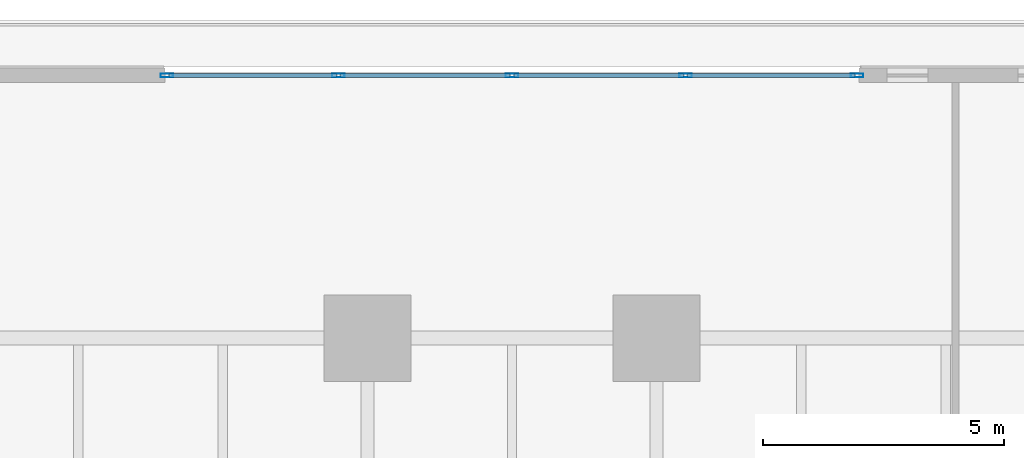
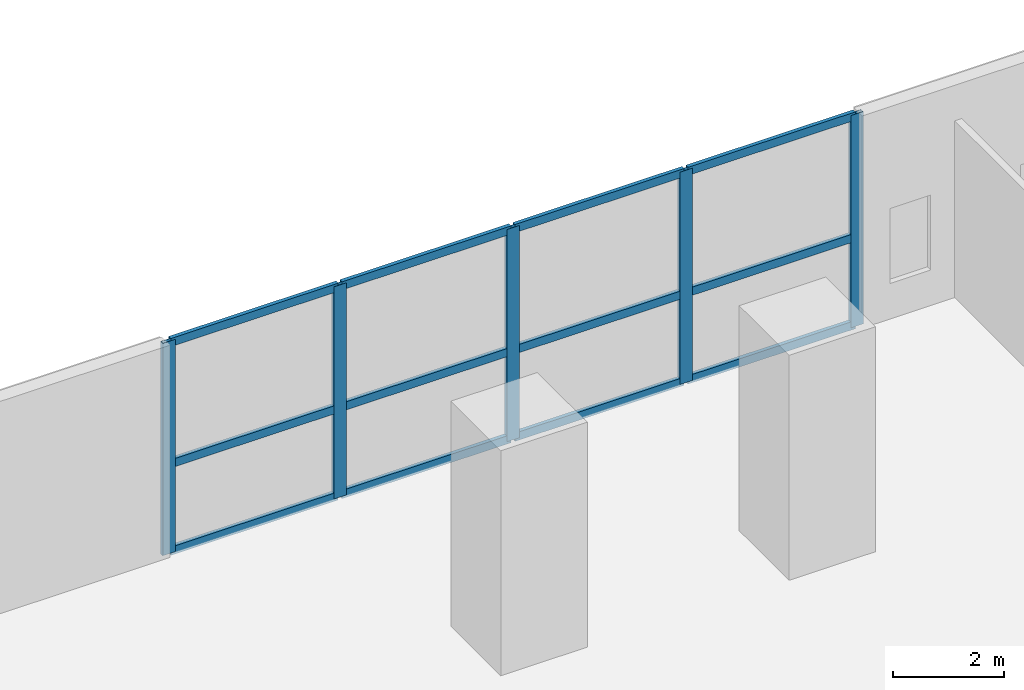
# One storey, part 4 of 24: 17 members, 1 element without a shape of its own.
"""IFC4 building model written with IfcOpenShell, lengths in metres."""

import ifcopenshell
import ifcopenshell.guid

model = None  # the IFC model being written
_history = None  # IfcOwnerHistory: only IFC2X3 demands one
_inside = {}  # id of a spatial element -> (the spatial element, [elements in it])
_under = {}  # id of a project, library or spatial element -> (it, [spatial elements below it])
_declared = {}  # id of a project -> (the project, [libraries it declares])
_typed = {}  # id of a type object -> (the type object, [elements of that type])
_made_of = {}  # id of a material, layer set ... -> (it, [elements and type objects made of it])


def new_model(schema):
    """Start an empty IFC model of exactly this schema.

    Asked for "IFC4X3", IfcOpenShell would pick the latest addendum, in which some entities
    have other attributes; the version numbers below select the first issue.
    IFC2X3 requires an IfcOwnerHistory on every rooted entity: one is made here for all.
    """
    global model, _history
    if schema == "IFC4X3":
        model = ifcopenshell.file(schema_version=(4, 3, 0, 0))
    else:
        model = ifcopenshell.file(schema=schema)
    _inside.clear()
    _under.clear()
    _declared.clear()
    _typed.clear()
    _made_of.clear()
    _history = None
    if model.schema == "IFC2X3":
        org = make("IfcOrganization", Name="unknown")
        user = make(
            "IfcPersonAndOrganization",
            ThePerson=make("IfcPerson", FamilyName="unknown"),
            TheOrganization=org,
        )
        app = make(
            "IfcApplication",
            ApplicationDeveloper=org,
            Version="unknown",
            ApplicationFullName="unknown",
            ApplicationIdentifier="unknown",
        )
        _history = make(
            "IfcOwnerHistory",
            OwningUser=user,
            OwningApplication=app,
            ChangeAction="ADDED",
            CreationDate=0,
        )
    return model


def make(cls, **values):
    """One entity of the class cls with the attributes given. An attribute that is None is left unset."""
    return model.create_entity(
        cls, **{name: value for name, value in values.items() if value is not None}
    )


def rooted(cls, **values):
    """An entity with a GlobalId (a new one), such as an element, a storey or a relation."""
    return make(cls, GlobalId=ifcopenshell.guid.new(), OwnerHistory=_history, **values)


def si_unit(unit_type, name, prefix=None):
    """IfcSIUnit, for example si_unit("LENGTHUNIT", "METRE", prefix="MILLI")."""
    return make("IfcSIUnit", UnitType=unit_type, Prefix=prefix, Name=name)


def assignment(units):
    """IfcUnitAssignment: the units of a project."""
    return None if units is None else make("IfcUnitAssignment", Units=units)


def point(xyz):
    """IfcCartesianPoint."""
    return None if xyz is None else make("IfcCartesianPoint", Coordinates=xyz)


def direction(xyz):
    """IfcDirection."""
    return None if xyz is None else make("IfcDirection", DirectionRatios=xyz)


def frame(location, z_axis=None, x_axis=None):
    """IfcAxis2Placement3D, a coordinate frame: its origin and axes. An axis left out is left unset."""
    return make(
        "IfcAxis2Placement3D",
        Location=point(location),
        Axis=direction(z_axis),
        RefDirection=direction(x_axis),
    )


def frame_2d(location, x_axis=None):
    """IfcAxis2Placement2D, a coordinate frame in the plane: its origin and x axis."""
    return make(
        "IfcAxis2Placement2D", Location=point(location), RefDirection=direction(x_axis)
    )


def origin():
    """The frame at (0, 0, 0) with its axes left unset."""
    return frame((0.0, 0.0, 0.0))


def origin_2d():
    """The frame at (0, 0) in the plane with its x axis left unset."""
    return frame_2d((0.0, 0.0))


def place(relative_to, where):
    """IfcLocalPlacement: puts the frame where relative to a parent placement (None: the world)."""
    return make(
        "IfcLocalPlacement", PlacementRelTo=relative_to, RelativePlacement=where
    )


def context(
    kind, dimensions, precision=None, world=None, true_north=None, identifier=None
):
    """IfcGeometricRepresentationContext, for example the 3D "Model" context."""
    return make(
        "IfcGeometricRepresentationContext",
        ContextIdentifier=identifier,
        ContextType=kind,
        CoordinateSpaceDimension=dimensions,
        Precision=precision,
        WorldCoordinateSystem=world,
        TrueNorth=true_north,
    )


def subcontext(parent, identifier, kind, view, scale=None):
    """IfcGeometricRepresentationSubContext, for example "Body" below "Model"."""
    return make(
        "IfcGeometricRepresentationSubContext",
        ContextIdentifier=identifier,
        ContextType=kind,
        ParentContext=parent,
        TargetScale=scale,
        TargetView=view,
    )


def project(units=None, contexts=None):
    """IfcProject with its units and contexts."""
    return rooted(
        "IfcProject",
        Name="project",
        RepresentationContexts=contexts,
        UnitsInContext=assignment(units),
    )


def spatial(cls, under=None, at=None, **own):
    """A site, building, storey or space (cls), placed at a placement, below another one or the project."""
    s = rooted(cls, ObjectPlacement=at, **own)
    if under is not None:
        _under.setdefault(under.id(), (under, []))[1].append(s)
    return s


def profile(cls, at=None, kind="AREA", **sizes):
    """A parametric profile (cls). Its sizes go by their IFC names, for example OverallWidth=200.0."""
    return make(cls, ProfileType=kind, Position=at, **sizes)


def hollow_rectangle(**sizes):
    """IfcRectangleHollowProfileDef."""
    return profile("IfcRectangleHollowProfileDef", **sizes)


def extrude(swept, where, along, depth):
    """IfcExtrudedAreaSolid: the profile swept, set in the frame where, extruded along a direction by depth."""
    return make(
        "IfcExtrudedAreaSolid",
        SweptArea=swept,
        Position=where,
        ExtrudedDirection=direction(along),
        Depth=depth,
    )


def shape(context_of_items, identifier, shape_type, items):
    """IfcShapeRepresentation: the items that make up one representation, for example the "Body"."""
    return make(
        "IfcShapeRepresentation",
        ContextOfItems=context_of_items,
        RepresentationIdentifier=identifier,
        RepresentationType=shape_type,
        Items=items,
    )


def material(Name=None, Category=None):
    """IfcMaterial."""
    return make("IfcMaterial", Name=Name, Category=Category)


def layer(
    of_material, thickness, ventilated=None, Name=None, Category=None, Priority=None
):
    """IfcMaterialLayer: one layer of a wall or slab, of a material (None: an air gap)."""
    return make(
        "IfcMaterialLayer",
        Material=of_material,
        LayerThickness=thickness,
        IsVentilated=ventilated,
        Name=Name,
        Category=Category,
        Priority=Priority,
    )


def layer_set(layers, Name=None):
    """IfcMaterialLayerSet."""
    return make("IfcMaterialLayerSet", MaterialLayers=layers, LayerSetName=Name)


def material_profile(
    of_material, cross_section, Name=None, Category=None, Priority=None
):
    """IfcMaterialProfile: a cross section and its material."""
    return make(
        "IfcMaterialProfile",
        Name=Name,
        Material=of_material,
        Profile=cross_section,
        Priority=Priority,
        Category=Category,
    )


def profile_set(profiles, Name=None, composite=None):
    """IfcMaterialProfileSet."""
    return make(
        "IfcMaterialProfileSet",
        Name=Name,
        MaterialProfiles=profiles,
        CompositeProfile=composite,
    )


def made_of(thing, what):
    """Note that an element or type object is made of a material, layer set ...; save() writes the relation."""
    if what is not None:
        _made_of.setdefault(what.id(), (what, []))[1].append(thing)
    return thing


def type_object(cls, material=None, **own):
    """A type object (cls), such as IfcWallType, which elements share."""
    return made_of(rooted(cls, **own), material)


def element(
    cls,
    number,
    at=None,
    inside=None,
    cuts=None,
    type_object=None,
    material=None,
    context=None,
    identifier="Body",
    shape_type=None,
    held_by="IfcProductDefinitionShape",
    body=None,
    shapes=None,
    **own,
):
    """One element of the class cls, such as IfcWall. Its Tag is "e" and its number.

    at: its placement. inside: the storey or other place that contains it. cuts: it is an
    opening in that element (IfcRelVoidsElement). A single representation is given by context,
    identifier, shape_type and body (its items); several are given by shapes. held_by: the class
    of the entity that holds the representations. save() writes the other relations.
    """
    e = rooted(cls, Tag="e%d" % number, ObjectPlacement=at, **own)
    if body is not None:
        shapes = [shape(context, identifier, shape_type, body)]
    if shapes is not None:
        e.Representation = make(held_by, Representations=shapes)
    if inside is not None:
        _inside.setdefault(inside.id(), (inside, []))[1].append(e)
    if cuts is not None:
        rooted(
            "IfcRelVoidsElement", RelatingBuildingElement=cuts, RelatedOpeningElement=e
        )
    if type_object is not None:
        _typed.setdefault(type_object.id(), (type_object, []))[1].append(e)
    return made_of(e, material)


def aggregate(whole, parts):
    """IfcRelAggregates: a whole, such as a stair, and the parts it consists of."""
    return rooted("IfcRelAggregates", RelatingObject=whole, RelatedObjects=parts)


def save(model, path):
    """Write the relations noted so far, then the file.

    IfcRelAggregates (storeys below a building ...), IfcRelContainedInSpatialStructure (elements
    in a storey), IfcRelDefinesByType, IfcRelAssociatesMaterial and IfcRelDeclares: one each for
    every whole, place, type object, material and project.
    """
    for whole, parts in _under.values():
        aggregate(whole, parts)
    for where, things in _inside.values():
        rooted(
            "IfcRelContainedInSpatialStructure",
            RelatedElements=things,
            RelatingStructure=where,
        )
    for kind, things in _typed.values():
        rooted("IfcRelDefinesByType", RelatedObjects=things, RelatingType=kind)
    for what, things in _made_of.values():
        rooted("IfcRelAssociatesMaterial", RelatedObjects=things, RelatingMaterial=what)
    for by, libraries in _declared.values():
        rooted("IfcRelDeclares", RelatingContext=by, RelatedDefinitions=libraries)
    model.write(path)


model = new_model("IFC4")

# Units and contexts
model_context = context("Model", 3, precision=1e-05, world=origin(), true_north=direction((0.0, 1.0)))
body_context = subcontext(model_context, "Body", "Model", "MODEL_VIEW")
ifc_project = project(units=[si_unit("LENGTHUNIT", "METRE"), si_unit("AREAUNIT", "SQUARE_METRE"), si_unit("VOLUMEUNIT", "CUBIC_METRE"), si_unit("PLANEANGLEUNIT", "RADIAN"), si_unit("MASSUNIT", "GRAM", prefix="KILO")], contexts=[model_context])

# Site, building, storey
site_placement = place(None, origin())
site = spatial("IfcSite", under=ifc_project, at=site_placement, CompositionType="ELEMENT")
building_placement = place(site_placement, origin())
building = spatial("IfcBuilding", under=site, at=building_placement, Name="Tanjung Sevakor Pilgrim Tower", CompositionType="ELEMENT")
storey_placement = place(building_placement, frame((0.0, 0.0, 4.949951171875)))
storey = spatial("IfcBuildingStorey", under=building, at=storey_placement, Name="L02", CompositionType="ELEMENT", Elevation=4.949951171875)

# Curtain wall, members
ifc_material_1 = material(Name="Aluminium 6063-T6 and Low-E Glass", Category="aluminium")
ifc_layer = layer(ifc_material_1, 0.179931640625)
ifc_layer_set = layer_set([ifc_layer], Name="CW-SYS-POD")
curtain_wall_type = type_object("IfcCurtainWallType", Name="CW-SYS-POD", PredefinedType="NOTDEFINED", material=ifc_layer_set)
curtain_wall_placement = place(storey_placement, origin())
curtain_wall = element("IfcCurtainWall", 1, at=curtain_wall_placement, inside=storey, type_object=curtain_wall_type, Name="L02 Curtain Wall CW-POD-L02-N", PredefinedType="NOTDEFINED")
ifc_material_2 = material(Name="Aluminium 6063-T6", Category="aluminium")
ifc_material_profile_1 = material_profile(ifc_material_2, hollow_rectangle(XDim=0.080078125, YDim=0.260009765625, WallThickness=0.0048828125, at=origin_2d()))
ifc_profile_set_1 = profile_set([ifc_material_profile_1], Name="Aluminium 6063-T6")
member_type_1 = type_object("IfcMemberType", Name="TYPE-CWM-3", PredefinedType="MULLION", material=ifc_profile_set_1)
member_1_placement = place(storey_placement, frame((64.159912109375, 66.050048828125, 0.0), z_axis=(0.0, 0.0, 1.0), x_axis=(0.0, -1.0, 0.0)))
member_1 = element("IfcMember", 2, at=member_1_placement, type_object=member_type_1, Name="CW-POD mullion 1", PredefinedType="MULLION", context=body_context, shape_type="SweptSolid", body=[
    extrude(hollow_rectangle(XDim=0.080078125, YDim=0.260009765625, WallThickness=0.0048828125, at=origin_2d()), origin(), (0.0, 0.0, 1.0), 4.670166015625),
])
member_2_placement = place(storey_placement, frame((60.60009765625, 66.050048828125, 0.0), z_axis=(0.0, 0.0, 1.0), x_axis=(0.0, -1.0, 0.0)))
member_2 = element("IfcMember", 3, at=member_2_placement, type_object=member_type_1, Name="CW-POD mullion 2", PredefinedType="MULLION", context=body_context, shape_type="SweptSolid", body=[
    extrude(hollow_rectangle(XDim=0.080078125, YDim=0.260009765625, WallThickness=0.0048828125, at=origin_2d()), origin(), (0.0, 0.0, 1.0), 4.670166015625),
])
member_3_placement = place(storey_placement, frame((57.0, 66.050048828125, 0.0), z_axis=(0.0, 0.0, 1.0), x_axis=(0.0, -1.0, 0.0)))
member_3 = element("IfcMember", 4, at=member_3_placement, type_object=member_type_1, Name="CW-POD mullion 3", PredefinedType="MULLION", context=body_context, shape_type="SweptSolid", body=[
    extrude(hollow_rectangle(XDim=0.080078125, YDim=0.260009765625, WallThickness=0.0048828125, at=origin_2d()), origin(), (0.0, 0.0, 1.0), 4.670166015625),
])
member_4_placement = place(storey_placement, frame((53.39990234375, 66.050048828125, 0.0), z_axis=(0.0, 0.0, 1.0), x_axis=(0.0, -1.0, 0.0)))
member_4 = element("IfcMember", 5, at=member_4_placement, type_object=member_type_1, Name="CW-POD mullion 4", PredefinedType="MULLION", context=body_context, shape_type="SweptSolid", body=[
    extrude(hollow_rectangle(XDim=0.080078125, YDim=0.260009765625, WallThickness=0.0048828125, at=origin_2d()), origin(), (0.0, 0.0, 1.0), 4.670166015625),
])
member_5_placement = place(storey_placement, frame((49.840087890625, 66.050048828125, 0.0), z_axis=(0.0, 0.0, 1.0), x_axis=(0.0, -1.0, 0.0)))
member_5 = element("IfcMember", 6, at=member_5_placement, type_object=member_type_1, Name="CW-POD mullion 5", PredefinedType="MULLION", context=body_context, shape_type="SweptSolid", body=[
    extrude(hollow_rectangle(XDim=0.080078125, YDim=0.260009765625, WallThickness=0.0048828125, at=origin_2d()), origin(), (0.0, 0.0, 1.0), 4.670166015625),
])
ifc_material_3 = material(Name="Aluminium 6063-T6", Category="aluminium")
ifc_material_profile_2 = material_profile(ifc_material_3, hollow_rectangle(XDim=0.080078125, YDim=0.179931640625, WallThickness=0.0048828125, at=origin_2d()))
ifc_profile_set_2 = profile_set([ifc_material_profile_2], Name="Aluminium 6063-T6")
member_type_2 = type_object("IfcMemberType", Name="TYPE-CWT-3", PredefinedType="USERDEFINED", material=ifc_profile_set_2)
member_6_placement = place(storey_placement, frame((64.1201171875, 66.050048828125, 0.0400390625), z_axis=(-1.0, 0.0, 0.0), x_axis=(0.0, -1.0, 0.0)))
member_6 = element("IfcMember", 7, at=member_6_placement, type_object=member_type_2, Name="CW-POD transom 1.1", ObjectType="TRANSOM", PredefinedType="USERDEFINED", context=body_context, shape_type="SweptSolid", body=[
    extrude(hollow_rectangle(XDim=0.080078125, YDim=0.179931640625, WallThickness=0.0048828125, at=origin_2d()), origin(), (0.0, 0.0, 1.0), 3.480224609375),
])
member_7_placement = place(storey_placement, frame((64.1201171875, 66.050048828125, 1.96142578125), z_axis=(-1.0, 0.0, 0.0), x_axis=(0.0, -1.0, 0.0)))
member_7 = element("IfcMember", 8, at=member_7_placement, type_object=member_type_2, Name="CW-POD transom 1.2", ObjectType="TRANSOM", PredefinedType="USERDEFINED", context=body_context, shape_type="SweptSolid", body=[
    extrude(hollow_rectangle(XDim=0.080078125, YDim=0.179931640625, WallThickness=0.0048828125, at=origin_2d()), origin(), (0.0, 0.0, 1.0), 3.480224609375),
])
member_8_placement = place(storey_placement, frame((64.1201171875, 66.050048828125, 4.630126953125), z_axis=(-1.0, 0.0, 0.0), x_axis=(0.0, -1.0, 0.0)))
member_8 = element("IfcMember", 9, at=member_8_placement, type_object=member_type_2, Name="CW-POD transom 1.3", ObjectType="TRANSOM", PredefinedType="USERDEFINED", context=body_context, shape_type="SweptSolid", body=[
    extrude(hollow_rectangle(XDim=0.080078125, YDim=0.179931640625, WallThickness=0.0048828125, at=origin_2d()), origin(), (0.0, 0.0, 1.0), 3.480224609375),
])
member_9_placement = place(storey_placement, frame((60.56005859375, 66.050048828125, 0.0400390625), z_axis=(-1.0, 0.0, 0.0), x_axis=(0.0, -1.0, 0.0)))
member_9 = element("IfcMember", 10, at=member_9_placement, type_object=member_type_2, Name="CW-POD transom 2.1", ObjectType="TRANSOM", PredefinedType="USERDEFINED", context=body_context, shape_type="SweptSolid", body=[
    extrude(hollow_rectangle(XDim=0.080078125, YDim=0.179931640625, WallThickness=0.0048828125, at=origin_2d()), origin(), (0.0, 0.0, 1.0), 3.52001953125),
])
member_10_placement = place(storey_placement, frame((60.56005859375, 66.050048828125, 1.96142578125), z_axis=(-1.0, 0.0, 0.0), x_axis=(0.0, -1.0, 0.0)))
member_10 = element("IfcMember", 11, at=member_10_placement, type_object=member_type_2, Name="CW-POD transom 2.2", ObjectType="TRANSOM", PredefinedType="USERDEFINED", context=body_context, shape_type="SweptSolid", body=[
    extrude(hollow_rectangle(XDim=0.080078125, YDim=0.179931640625, WallThickness=0.0048828125, at=origin_2d()), origin(), (0.0, 0.0, 1.0), 3.52001953125),
])
member_11_placement = place(storey_placement, frame((60.56005859375, 66.050048828125, 4.630126953125), z_axis=(-1.0, 0.0, 0.0), x_axis=(0.0, -1.0, 0.0)))
member_11 = element("IfcMember", 12, at=member_11_placement, type_object=member_type_2, Name="CW-POD transom 2.3", ObjectType="TRANSOM", PredefinedType="USERDEFINED", context=body_context, shape_type="SweptSolid", body=[
    extrude(hollow_rectangle(XDim=0.080078125, YDim=0.179931640625, WallThickness=0.0048828125, at=origin_2d()), origin(), (0.0, 0.0, 1.0), 3.52001953125),
])
member_12_placement = place(storey_placement, frame((56.9599609375, 66.050048828125, 0.0400390625), z_axis=(-1.0, 0.0, 0.0), x_axis=(0.0, -1.0, 0.0)))
member_12 = element("IfcMember", 13, at=member_12_placement, type_object=member_type_2, Name="CW-POD transom 3.1", ObjectType="TRANSOM", PredefinedType="USERDEFINED", context=body_context, shape_type="SweptSolid", body=[
    extrude(hollow_rectangle(XDim=0.080078125, YDim=0.179931640625, WallThickness=0.0048828125, at=origin_2d()), origin(), (0.0, 0.0, 1.0), 3.52001953125),
])
member_13_placement = place(storey_placement, frame((56.9599609375, 66.050048828125, 1.96142578125), z_axis=(-1.0, 0.0, 0.0), x_axis=(0.0, -1.0, 0.0)))
member_13 = element("IfcMember", 14, at=member_13_placement, type_object=member_type_2, Name="CW-POD transom 3.2", ObjectType="TRANSOM", PredefinedType="USERDEFINED", context=body_context, shape_type="SweptSolid", body=[
    extrude(hollow_rectangle(XDim=0.080078125, YDim=0.179931640625, WallThickness=0.0048828125, at=origin_2d()), origin(), (0.0, 0.0, 1.0), 3.52001953125),
])
member_14_placement = place(storey_placement, frame((56.9599609375, 66.050048828125, 4.630126953125), z_axis=(-1.0, 0.0, 0.0), x_axis=(0.0, -1.0, 0.0)))
member_14 = element("IfcMember", 15, at=member_14_placement, type_object=member_type_2, Name="CW-POD transom 3.3", ObjectType="TRANSOM", PredefinedType="USERDEFINED", context=body_context, shape_type="SweptSolid", body=[
    extrude(hollow_rectangle(XDim=0.080078125, YDim=0.179931640625, WallThickness=0.0048828125, at=origin_2d()), origin(), (0.0, 0.0, 1.0), 3.52001953125),
])
member_15_placement = place(storey_placement, frame((53.360107421875, 66.050048828125, 0.0400390625), z_axis=(-1.0, 0.0, 0.0), x_axis=(0.0, -1.0, 0.0)))
member_15 = element("IfcMember", 16, at=member_15_placement, type_object=member_type_2, Name="CW-POD transom 4.1", ObjectType="TRANSOM", PredefinedType="USERDEFINED", context=body_context, shape_type="SweptSolid", body=[
    extrude(hollow_rectangle(XDim=0.080078125, YDim=0.179931640625, WallThickness=0.0048828125, at=origin_2d()), origin(), (0.0, 0.0, 1.0), 3.480224609375),
])
member_16_placement = place(storey_placement, frame((53.360107421875, 66.050048828125, 1.96142578125), z_axis=(-1.0, 0.0, 0.0), x_axis=(0.0, -1.0, 0.0)))
member_16 = element("IfcMember", 17, at=member_16_placement, type_object=member_type_2, Name="CW-POD transom 4.2", ObjectType="TRANSOM", PredefinedType="USERDEFINED", context=body_context, shape_type="SweptSolid", body=[
    extrude(hollow_rectangle(XDim=0.080078125, YDim=0.179931640625, WallThickness=0.0048828125, at=origin_2d()), origin(), (0.0, 0.0, 1.0), 3.480224609375),
])
member_17_placement = place(storey_placement, frame((53.360107421875, 66.050048828125, 4.630126953125), z_axis=(-1.0, 0.0, 0.0), x_axis=(0.0, -1.0, 0.0)))
member_17 = element("IfcMember", 18, at=member_17_placement, type_object=member_type_2, Name="CW-POD transom 4.3", ObjectType="TRANSOM", PredefinedType="USERDEFINED", context=body_context, shape_type="SweptSolid", body=[
    extrude(hollow_rectangle(XDim=0.080078125, YDim=0.179931640625, WallThickness=0.0048828125, at=origin_2d()), origin(), (0.0, 0.0, 1.0), 3.480224609375),
])
aggregate(curtain_wall, [member_1, member_2, member_3, member_4, member_5, member_6, member_7, member_8, member_9, member_10, member_11, member_12, member_13, member_14, member_15, member_16, member_17])

save(model, "model.ifc")
